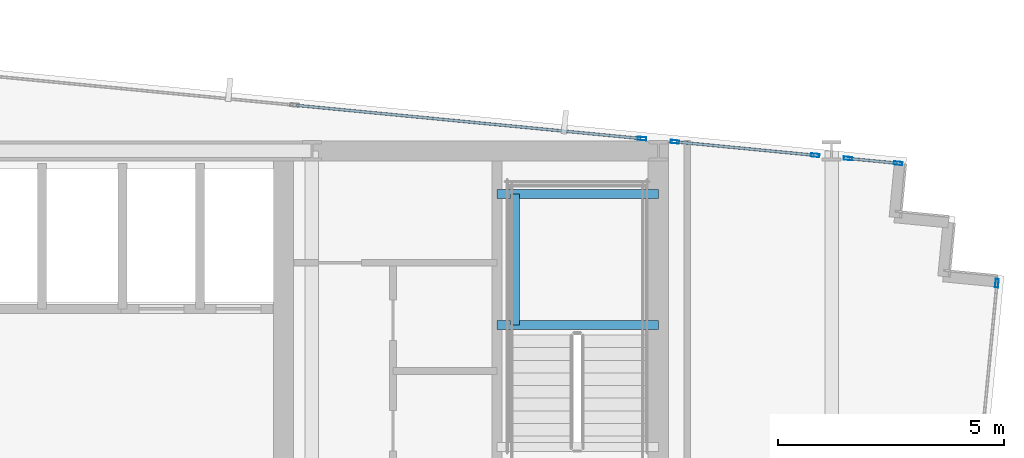
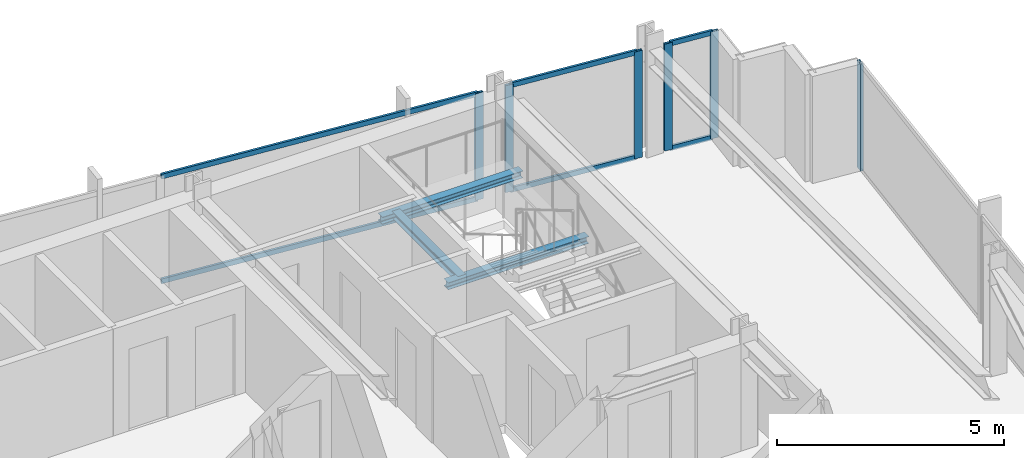
# One storey, part 27 of 37: 12 members, 3 beams, 4 elements without a shape of their own.
"""IFC4 building model written with IfcOpenShell, lengths in metres."""

from ifc_helpers import new_model, si_unit, direction, frame, origin, origin_2d, place, context, subcontext, project, spatial, hollow_rectangle, i_section, extrude, material, material_profile, profile_set, type_object, element, aggregate, save


model = new_model("IFC4")

# Units and contexts
model_context = context("Model", 3, precision=1e-05, world=origin(), true_north=direction((0.0, 1.0)))
body_context = subcontext(model_context, "Body", "Model", "MODEL_VIEW")
ifc_project = project(units=[si_unit("LENGTHUNIT", "METRE"), si_unit("AREAUNIT", "SQUARE_METRE"), si_unit("VOLUMEUNIT", "CUBIC_METRE"), si_unit("PLANEANGLEUNIT", "RADIAN"), si_unit("MASSUNIT", "GRAM", prefix="KILO")], contexts=[model_context])

# Site, building, storey
site_placement = place(None, origin())
site = spatial("IfcSite", under=ifc_project, at=site_placement, CompositionType="ELEMENT")
building_placement = place(site_placement, origin())
building = spatial("IfcBuilding", under=site, at=building_placement, Name="Yelkora Congress Tower", CompositionType="ELEMENT")
storey_placement = place(building_placement, frame((0.0, 0.0, 188.60009765625)))
storey = spatial("IfcBuildingStorey", under=building, at=storey_placement, Name="L52", CompositionType="ELEMENT", Elevation=188.60009765625)

# Beams
ifc_material_1 = material(Name="Steel S355J2", Category="steel")
ifc_material_profile_1 = material_profile(ifc_material_1, i_section(OverallWidth=0.199951171875, OverallDepth=0.18994140625, WebThickness=0.006591796875, FlangeThickness=0.010009765625, FilletRadius=0.01806640625, at=origin_2d()), Name="HEA 200")
ifc_profile_set_1 = profile_set([ifc_material_profile_1], Name="Steel S355J2")
beam_type = type_object("IfcBeamType", Name="BM-LAND-HEA200", PredefinedType="BEAM", material=ifc_profile_set_1)
for number, where, z_axis, x_axis, name in (
    (1, (50.179931640625, 42.340087890625, 1.33447265625), (1.0, 0.0, 0.0), (0.0, 1.0, 0.0), "ST-02 L52 Landing Header Beam 1S"),
    (2, (50.179931640625, 45.25, 1.33447265625), (1.0, 0.0, 0.0), (0.0, 1.0, 0.0), "ST-02 L52 Landing Header Beam 1N"),
):
    element("IfcBeam", number, at=place(storey_placement, frame(where, z_axis=z_axis, x_axis=x_axis)), inside=storey, type_object=beam_type, Name=name, PredefinedType="BEAM", context=body_context, shape_type="SweptSolid", body=[
        extrude(i_section(OverallWidth=0.199951171875, OverallDepth=0.18994140625, WebThickness=0.006591796875, FlangeThickness=0.010009765625, FilletRadius=0.01806640625, at=origin_2d()), origin(), (0.0, 0.0, 1.0), 3.580078125),
    ])
beam_placement = place(storey_placement, frame((50.580078125, 42.340087890625, 1.33447265625), z_axis=(0.0, 1.0, 0.0), x_axis=(-1.0, 0.0, 0.0)))
element("IfcBeam", 3, at=beam_placement, inside=storey, type_object=beam_type, Name="ST-02 L52 Landing Trimmer Beam 1M", PredefinedType="BEAM", context=body_context, shape_type="SweptSolid", body=[
    extrude(i_section(OverallWidth=0.199951171875, OverallDepth=0.18994140625, WebThickness=0.006591796875, FlangeThickness=0.010009765625, FilletRadius=0.01806640625, at=origin_2d()), origin(), (0.0, 0.0, 1.0), 2.909912109375),
])

# Curtain wall, member
ifc_material_2 = material(Name="Anodised aluminium and insulated glass", Category="aluminium")
curtain_wall_type = type_object("IfcCurtainWallType", Name="CW-SYS-B3", PredefinedType="NOTDEFINED", material=ifc_material_2)
curtain_wall_1_placement = place(storey_placement, origin())
curtain_wall_1 = element("IfcCurtainWall", 4, at=curtain_wall_1_placement, inside=storey, type_object=curtain_wall_type, Name="L52 Unitised Curtain Wall 10 (1)", PredefinedType="NOTDEFINED")
ifc_material_3 = material(Name="Anodised aluminium 6063-T6", Category="aluminium")
ifc_material_profile_2 = material_profile(ifc_material_3, hollow_rectangle(XDim=0.070068359375, YDim=0.18994140625, WallThickness=0.00390625, at=origin_2d()), Name="ALU 70x190x4")
ifc_profile_set_2 = profile_set([ifc_material_profile_2], Name="Anodised aluminium 6063-T6")
member_type_1 = type_object("IfcMemberType", Name="MEM-ML-B3", PredefinedType="MULLION", material=ifc_profile_set_2)
member_1_placement = place(storey_placement, frame((53.396240234375, 46.47314453125, 0.0), z_axis=(0.0, 0.0, 1.0), x_axis=(0.095844761168, 0.995396293823, 0.0)))
member_1 = element("IfcMember", 5, at=member_1_placement, type_object=member_type_1, Name="CW-B3 mullion 7", PredefinedType="MULLION", context=body_context, shape_type="SweptSolid", body=[
    extrude(hollow_rectangle(XDim=0.070068359375, YDim=0.18994140625, WallThickness=0.00390625, at=origin_2d()), origin(), (0.0, 0.0, 1.0), 2.8798828125),
])

# Curtain wall, members
curtain_wall_2_placement = place(storey_placement, origin())
curtain_wall_2 = element("IfcCurtainWall", 6, at=curtain_wall_2_placement, inside=storey, type_object=curtain_wall_type, Name="L52 Unitised Curtain Wall 10 (2)", PredefinedType="NOTDEFINED")
member_2_placement = place(storey_placement, frame((54.123779296875, 46.40283203125, 0.0), z_axis=(0.0, 0.0, 1.0), x_axis=(0.095848309157, 0.995395952188, 0.0)))
member_2 = element("IfcMember", 7, at=member_2_placement, type_object=member_type_1, Name="CW-B3 mullion 1", PredefinedType="MULLION", context=body_context, shape_type="SweptSolid", body=[
    extrude(hollow_rectangle(XDim=0.070068359375, YDim=0.18994140625, WallThickness=0.00390625, at=origin_2d()), origin(), (0.0, 0.0, 1.0), 2.8798828125),
])
member_3_placement = place(storey_placement, frame((57.236083984375, 46.103271484375, 0.0), z_axis=(0.0, 0.0, 1.0), x_axis=(0.095848309157, 0.995395952188, 0.0)))
member_3 = element("IfcMember", 8, at=member_3_placement, type_object=member_type_1, Name="CW-B3 mullion 2", PredefinedType="MULLION", context=body_context, shape_type="SweptSolid", body=[
    extrude(hollow_rectangle(XDim=0.070068359375, YDim=0.18994140625, WallThickness=0.00390625, at=origin_2d()), origin(), (0.0, 0.0, 1.0), 2.8798828125),
])

curtain_wall_3_placement = place(storey_placement, origin())
curtain_wall_3 = element("IfcCurtainWall", 9, at=curtain_wall_3_placement, inside=storey, type_object=curtain_wall_type, Name="L52 Unitised Curtain Wall 10 (3)", PredefinedType="NOTDEFINED")
member_4_placement = place(storey_placement, frame((57.9638671875, 46.033203125, 0.0), z_axis=(0.0, 0.0, 1.0), x_axis=(0.095852281686, 0.995395569658, 0.0)))
member_4 = element("IfcMember", 10, at=member_4_placement, type_object=member_type_1, Name="CW-B3 mullion 1", PredefinedType="MULLION", context=body_context, shape_type="SweptSolid", body=[
    extrude(hollow_rectangle(XDim=0.070068359375, YDim=0.18994140625, WallThickness=0.00390625, at=origin_2d()), origin(), (0.0, 0.0, 1.0), 2.8798828125),
])
member_5_placement = place(storey_placement, frame((59.073974609375, 45.92626953125, 0.0), z_axis=(0.0, 0.0, 1.0), x_axis=(0.095852281686, 0.995395569658, 0.0)))
member_5 = element("IfcMember", 11, at=member_5_placement, type_object=member_type_1, Name="CW-B3 mullion 2", PredefinedType="MULLION", context=body_context, shape_type="SweptSolid", body=[
    extrude(hollow_rectangle(XDim=0.070068359375, YDim=0.18994140625, WallThickness=0.00390625, at=origin_2d()), origin(), (0.0, 0.0, 1.0), 2.8798828125),
])

# Curtain wall, member
curtain_wall_4_placement = place(storey_placement, origin())
curtain_wall_4 = element("IfcCurtainWall", 12, at=curtain_wall_4_placement, inside=storey, type_object=curtain_wall_type, Name="L52 Unitised Curtain Wall 15", PredefinedType="NOTDEFINED")
member_6_placement = place(storey_placement, frame((61.26416015625, 43.26904296875, 0.0), z_axis=(0.0, 0.0, 1.0), x_axis=(0.995396565076, -0.095841944023, 0.0)))
member_6 = element("IfcMember", 13, at=member_6_placement, type_object=member_type_1, Name="CW-B3 mullion 1", PredefinedType="MULLION", context=body_context, shape_type="SweptSolid", body=[
    extrude(hollow_rectangle(XDim=0.070068359375, YDim=0.18994140625, WallThickness=0.00390625, at=origin_2d()), origin(), (0.0, 0.0, 1.0), 2.8798828125),
])
aggregate(curtain_wall_4, [member_6])

# Member
ifc_material_profile_3 = material_profile(ifc_material_3, hollow_rectangle(XDim=0.06005859375, YDim=0.1298828125, WallThickness=0.00390625, at=origin_2d()), Name="ALU 60x130x4")
ifc_profile_set_3 = profile_set([ifc_material_profile_3], Name="Anodised aluminium 6063-T6")
member_type_2 = type_object("IfcMemberType", Name="MEM-TR-B3", PredefinedType="USERDEFINED", material=ifc_profile_set_3)
member_7_placement = place(storey_placement, frame((45.732177734375, 47.2109375, 0.02978515625), z_axis=(0.99539600529, -0.095847757686, 0.0), x_axis=(0.095847757686, 0.99539600529, 0.0)))
member_7 = element("IfcMember", 14, at=member_7_placement, type_object=member_type_2, Name="CW-B3 transom 6.1", ObjectType="TRANSOM", PredefinedType="USERDEFINED", context=body_context, shape_type="SweptSolid", body=[
    extrude(hollow_rectangle(XDim=0.06005859375, YDim=0.1298828125, WallThickness=0.00390625, at=origin_2d()), origin(), (0.0, 0.0, 1.0), 7.66455078125),
])

member_8_placement = place(storey_placement, frame((45.732177734375, 47.2109375, 2.849853515625), z_axis=(0.99539600529, -0.095847757686, 0.0), x_axis=(0.095847757686, 0.99539600529, 0.0)))
member_8 = element("IfcMember", 15, at=member_8_placement, type_object=member_type_2, Name="CW-B3 transom 6.2", ObjectType="TRANSOM", PredefinedType="USERDEFINED", context=body_context, shape_type="SweptSolid", body=[
    extrude(hollow_rectangle(XDim=0.06005859375, YDim=0.1298828125, WallThickness=0.00390625, at=origin_2d()), origin(), (0.0, 0.0, 1.0), 7.66455078125),
])

aggregate(curtain_wall_1, [member_1, member_7, member_8])

member_9_placement = place(storey_placement, frame((54.15869140625, 46.399658203125, 0.02978515625), z_axis=(0.995396582455, -0.095841763536, 0.0), x_axis=(0.095841763536, 0.995396582455, 0.0)))
member_9 = element("IfcMember", 16, at=member_9_placement, type_object=member_type_2, Name="CW-B3 transom 1.1", ObjectType="TRANSOM", PredefinedType="USERDEFINED", context=body_context, shape_type="SweptSolid", body=[
    extrude(hollow_rectangle(XDim=0.06005859375, YDim=0.1298828125, WallThickness=0.00390625, at=origin_2d()), origin(), (0.0, 0.0, 1.0), 3.056884765625),
])

member_10_placement = place(storey_placement, frame((54.15869140625, 46.399658203125, 2.849853515625), z_axis=(0.995396582455, -0.095841763536, 0.0), x_axis=(0.095841763536, 0.995396582455, 0.0)))
member_10 = element("IfcMember", 17, at=member_10_placement, type_object=member_type_2, Name="CW-B3 transom 1.2", ObjectType="TRANSOM", PredefinedType="USERDEFINED", context=body_context, shape_type="SweptSolid", body=[
    extrude(hollow_rectangle(XDim=0.06005859375, YDim=0.1298828125, WallThickness=0.00390625, at=origin_2d()), origin(), (0.0, 0.0, 1.0), 3.056884765625),
])

aggregate(curtain_wall_2, [member_2, member_3, member_9, member_10])

member_11_placement = place(storey_placement, frame((57.998779296875, 46.02978515625, 0.02978515625), z_axis=(0.995402606714, -0.095779175957, 0.0), x_axis=(0.095779175957, 0.995402606714, 0.0)))
member_11 = element("IfcMember", 18, at=member_11_placement, type_object=member_type_2, Name="CW-B3 transom 1.1", ObjectType="TRANSOM", PredefinedType="USERDEFINED", context=body_context, shape_type="SweptSolid", body=[
    extrude(hollow_rectangle(XDim=0.06005859375, YDim=0.1298828125, WallThickness=0.00390625, at=origin_2d()), origin(), (0.0, 0.0, 1.0), 1.045166015625),
])

member_12_placement = place(storey_placement, frame((57.998779296875, 46.02978515625, 2.849853515625), z_axis=(0.995402606714, -0.095779175957, 0.0), x_axis=(0.095779175957, 0.995402606714, 0.0)))
member_12 = element("IfcMember", 19, at=member_12_placement, type_object=member_type_2, Name="CW-B3 transom 1.2", ObjectType="TRANSOM", PredefinedType="USERDEFINED", context=body_context, shape_type="SweptSolid", body=[
    extrude(hollow_rectangle(XDim=0.06005859375, YDim=0.1298828125, WallThickness=0.00390625, at=origin_2d()), origin(), (0.0, 0.0, 1.0), 1.045166015625),
])

aggregate(curtain_wall_3, [member_4, member_5, member_11, member_12])

save(model, "model.ifc")
